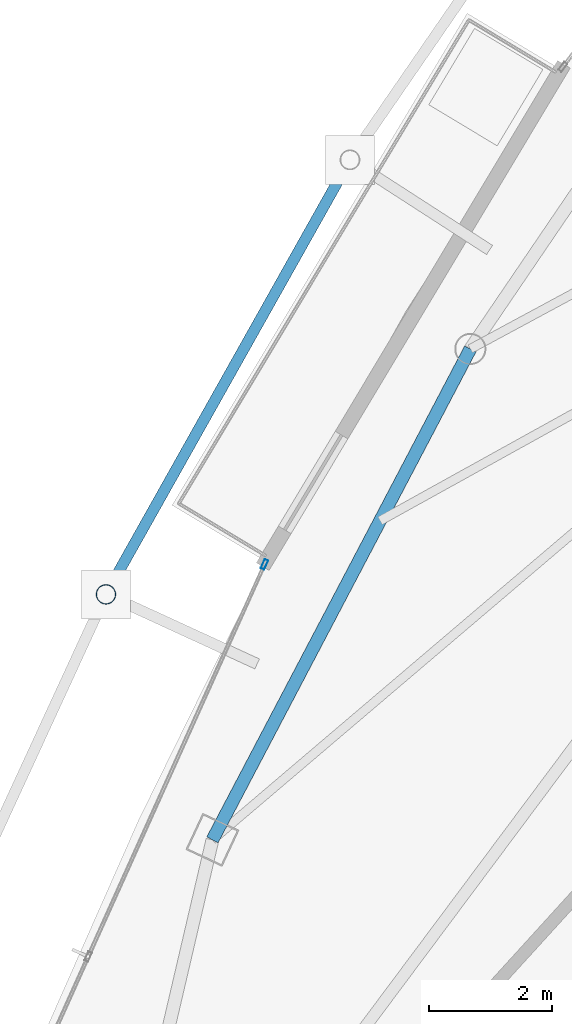
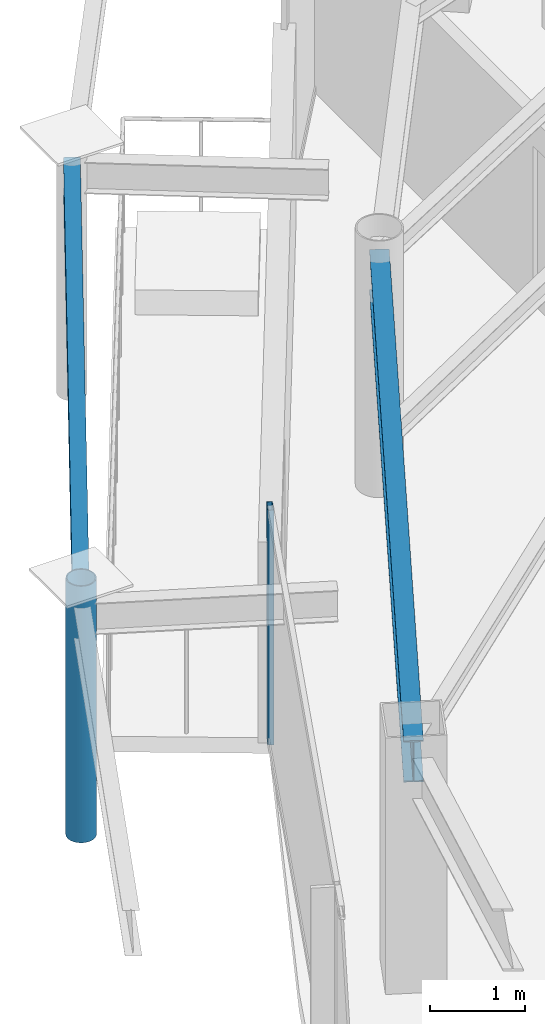
# One storey, part 10 of 30: 2 beams, 2 members, 1 element without a shape of its own.
"""IFC4 building model written with IfcOpenShell, lengths in metres."""

import ifcopenshell
import ifcopenshell.guid

model = None  # the IFC model being written
_history = None  # IfcOwnerHistory: only IFC2X3 demands one
_inside = {}  # id of a spatial element -> (the spatial element, [elements in it])
_under = {}  # id of a project, library or spatial element -> (it, [spatial elements below it])
_declared = {}  # id of a project -> (the project, [libraries it declares])
_typed = {}  # id of a type object -> (the type object, [elements of that type])
_made_of = {}  # id of a material, layer set ... -> (it, [elements and type objects made of it])


def new_model(schema):
    """Start an empty IFC model of exactly this schema.

    Asked for "IFC4X3", IfcOpenShell would pick the latest addendum, in which some entities
    have other attributes; the version numbers below select the first issue.
    IFC2X3 requires an IfcOwnerHistory on every rooted entity: one is made here for all.
    """
    global model, _history
    if schema == "IFC4X3":
        model = ifcopenshell.file(schema_version=(4, 3, 0, 0))
    else:
        model = ifcopenshell.file(schema=schema)
    _inside.clear()
    _under.clear()
    _declared.clear()
    _typed.clear()
    _made_of.clear()
    _history = None
    if model.schema == "IFC2X3":
        org = make("IfcOrganization", Name="unknown")
        user = make(
            "IfcPersonAndOrganization",
            ThePerson=make("IfcPerson", FamilyName="unknown"),
            TheOrganization=org,
        )
        app = make(
            "IfcApplication",
            ApplicationDeveloper=org,
            Version="unknown",
            ApplicationFullName="unknown",
            ApplicationIdentifier="unknown",
        )
        _history = make(
            "IfcOwnerHistory",
            OwningUser=user,
            OwningApplication=app,
            ChangeAction="ADDED",
            CreationDate=0,
        )
    return model


def make(cls, **values):
    """One entity of the class cls with the attributes given. An attribute that is None is left unset."""
    return model.create_entity(
        cls, **{name: value for name, value in values.items() if value is not None}
    )


def rooted(cls, **values):
    """An entity with a GlobalId (a new one), such as an element, a storey or a relation."""
    return make(cls, GlobalId=ifcopenshell.guid.new(), OwnerHistory=_history, **values)


def si_unit(unit_type, name, prefix=None):
    """IfcSIUnit, for example si_unit("LENGTHUNIT", "METRE", prefix="MILLI")."""
    return make("IfcSIUnit", UnitType=unit_type, Prefix=prefix, Name=name)


def assignment(units):
    """IfcUnitAssignment: the units of a project."""
    return None if units is None else make("IfcUnitAssignment", Units=units)


def point(xyz):
    """IfcCartesianPoint."""
    return None if xyz is None else make("IfcCartesianPoint", Coordinates=xyz)


def direction(xyz):
    """IfcDirection."""
    return None if xyz is None else make("IfcDirection", DirectionRatios=xyz)


def frame(location, z_axis=None, x_axis=None):
    """IfcAxis2Placement3D, a coordinate frame: its origin and axes. An axis left out is left unset."""
    return make(
        "IfcAxis2Placement3D",
        Location=point(location),
        Axis=direction(z_axis),
        RefDirection=direction(x_axis),
    )


def frame_2d(location, x_axis=None):
    """IfcAxis2Placement2D, a coordinate frame in the plane: its origin and x axis."""
    return make(
        "IfcAxis2Placement2D", Location=point(location), RefDirection=direction(x_axis)
    )


def origin():
    """The frame at (0, 0, 0) with its axes left unset."""
    return frame((0.0, 0.0, 0.0))


def origin_2d():
    """The frame at (0, 0) in the plane with its x axis left unset."""
    return frame_2d((0.0, 0.0))


def place(relative_to, where):
    """IfcLocalPlacement: puts the frame where relative to a parent placement (None: the world)."""
    return make(
        "IfcLocalPlacement", PlacementRelTo=relative_to, RelativePlacement=where
    )


def context(
    kind, dimensions, precision=None, world=None, true_north=None, identifier=None
):
    """IfcGeometricRepresentationContext, for example the 3D "Model" context."""
    return make(
        "IfcGeometricRepresentationContext",
        ContextIdentifier=identifier,
        ContextType=kind,
        CoordinateSpaceDimension=dimensions,
        Precision=precision,
        WorldCoordinateSystem=world,
        TrueNorth=true_north,
    )


def subcontext(parent, identifier, kind, view, scale=None):
    """IfcGeometricRepresentationSubContext, for example "Body" below "Model"."""
    return make(
        "IfcGeometricRepresentationSubContext",
        ContextIdentifier=identifier,
        ContextType=kind,
        ParentContext=parent,
        TargetScale=scale,
        TargetView=view,
    )


def project(units=None, contexts=None):
    """IfcProject with its units and contexts."""
    return rooted(
        "IfcProject",
        Name="project",
        RepresentationContexts=contexts,
        UnitsInContext=assignment(units),
    )


def spatial(cls, under=None, at=None, **own):
    """A site, building, storey or space (cls), placed at a placement, below another one or the project."""
    s = rooted(cls, ObjectPlacement=at, **own)
    if under is not None:
        _under.setdefault(under.id(), (under, []))[1].append(s)
    return s


def profile(cls, at=None, kind="AREA", **sizes):
    """A parametric profile (cls). Its sizes go by their IFC names, for example OverallWidth=200.0."""
    return make(cls, ProfileType=kind, Position=at, **sizes)


def hollow_rectangle(**sizes):
    """IfcRectangleHollowProfileDef."""
    return profile("IfcRectangleHollowProfileDef", **sizes)


def hollow_circle(**sizes):
    """IfcCircleHollowProfileDef."""
    return profile("IfcCircleHollowProfileDef", **sizes)


def i_section(**sizes):
    """IfcIShapeProfileDef."""
    return profile("IfcIShapeProfileDef", **sizes)


def extrude(swept, where, along, depth):
    """IfcExtrudedAreaSolid: the profile swept, set in the frame where, extruded along a direction by depth."""
    return make(
        "IfcExtrudedAreaSolid",
        SweptArea=swept,
        Position=where,
        ExtrudedDirection=direction(along),
        Depth=depth,
    )


def shape(context_of_items, identifier, shape_type, items):
    """IfcShapeRepresentation: the items that make up one representation, for example the "Body"."""
    return make(
        "IfcShapeRepresentation",
        ContextOfItems=context_of_items,
        RepresentationIdentifier=identifier,
        RepresentationType=shape_type,
        Items=items,
    )


def material(Name=None, Category=None):
    """IfcMaterial."""
    return make("IfcMaterial", Name=Name, Category=Category)


def layer(
    of_material, thickness, ventilated=None, Name=None, Category=None, Priority=None
):
    """IfcMaterialLayer: one layer of a wall or slab, of a material (None: an air gap)."""
    return make(
        "IfcMaterialLayer",
        Material=of_material,
        LayerThickness=thickness,
        IsVentilated=ventilated,
        Name=Name,
        Category=Category,
        Priority=Priority,
    )


def layer_set(layers, Name=None):
    """IfcMaterialLayerSet."""
    return make("IfcMaterialLayerSet", MaterialLayers=layers, LayerSetName=Name)


def material_profile(
    of_material, cross_section, Name=None, Category=None, Priority=None
):
    """IfcMaterialProfile: a cross section and its material."""
    return make(
        "IfcMaterialProfile",
        Name=Name,
        Material=of_material,
        Profile=cross_section,
        Priority=Priority,
        Category=Category,
    )


def profile_set(profiles, Name=None, composite=None):
    """IfcMaterialProfileSet."""
    return make(
        "IfcMaterialProfileSet",
        Name=Name,
        MaterialProfiles=profiles,
        CompositeProfile=composite,
    )


def made_of(thing, what):
    """Note that an element or type object is made of a material, layer set ...; save() writes the relation."""
    if what is not None:
        _made_of.setdefault(what.id(), (what, []))[1].append(thing)
    return thing


def type_object(cls, material=None, **own):
    """A type object (cls), such as IfcWallType, which elements share."""
    return made_of(rooted(cls, **own), material)


def element(
    cls,
    number,
    at=None,
    inside=None,
    cuts=None,
    type_object=None,
    material=None,
    context=None,
    identifier="Body",
    shape_type=None,
    held_by="IfcProductDefinitionShape",
    body=None,
    shapes=None,
    **own,
):
    """One element of the class cls, such as IfcWall. Its Tag is "e" and its number.

    at: its placement. inside: the storey or other place that contains it. cuts: it is an
    opening in that element (IfcRelVoidsElement). A single representation is given by context,
    identifier, shape_type and body (its items); several are given by shapes. held_by: the class
    of the entity that holds the representations. save() writes the other relations.
    """
    e = rooted(cls, Tag="e%d" % number, ObjectPlacement=at, **own)
    if body is not None:
        shapes = [shape(context, identifier, shape_type, body)]
    if shapes is not None:
        e.Representation = make(held_by, Representations=shapes)
    if inside is not None:
        _inside.setdefault(inside.id(), (inside, []))[1].append(e)
    if cuts is not None:
        rooted(
            "IfcRelVoidsElement", RelatingBuildingElement=cuts, RelatedOpeningElement=e
        )
    if type_object is not None:
        _typed.setdefault(type_object.id(), (type_object, []))[1].append(e)
    return made_of(e, material)


def aggregate(whole, parts):
    """IfcRelAggregates: a whole, such as a stair, and the parts it consists of."""
    return rooted("IfcRelAggregates", RelatingObject=whole, RelatedObjects=parts)


def save(model, path):
    """Write the relations noted so far, then the file.

    IfcRelAggregates (storeys below a building ...), IfcRelContainedInSpatialStructure (elements
    in a storey), IfcRelDefinesByType, IfcRelAssociatesMaterial and IfcRelDeclares: one each for
    every whole, place, type object, material and project.
    """
    for whole, parts in _under.values():
        aggregate(whole, parts)
    for where, things in _inside.values():
        rooted(
            "IfcRelContainedInSpatialStructure",
            RelatedElements=things,
            RelatingStructure=where,
        )
    for kind, things in _typed.values():
        rooted("IfcRelDefinesByType", RelatedObjects=things, RelatingType=kind)
    for what, things in _made_of.values():
        rooted("IfcRelAssociatesMaterial", RelatedObjects=things, RelatingMaterial=what)
    for by, libraries in _declared.values():
        rooted("IfcRelDeclares", RelatingContext=by, RelatedDefinitions=libraries)
    model.write(path)


model = new_model("IFC4")

# Units and contexts
model_context = context("Model", 3, precision=1e-05, world=origin(), true_north=direction((0.0, 1.0)))
body_context = subcontext(model_context, "Body", "Model", "MODEL_VIEW")
ifc_project = project(units=[si_unit("LENGTHUNIT", "METRE"), si_unit("AREAUNIT", "SQUARE_METRE"), si_unit("VOLUMEUNIT", "CUBIC_METRE"), si_unit("PLANEANGLEUNIT", "RADIAN"), si_unit("MASSUNIT", "GRAM", prefix="KILO")], contexts=[model_context])

# Site, building, storey
site_placement = place(None, origin())
site = spatial("IfcSite", under=ifc_project, at=site_placement, CompositionType="ELEMENT")
building_placement = place(site_placement, origin())
building = spatial("IfcBuilding", under=site, at=building_placement, Name="Orvanel Arch Residences", CompositionType="ELEMENT")
storey_placement = place(building_placement, frame((0.0, 0.0, 273.35009765625)))
storey = spatial("IfcBuildingStorey", under=building, at=storey_placement, Name="L78", CompositionType="ELEMENT", Elevation=273.35009765625)

# Curtain wall, member
ifc_material_1 = material(Name="Bronze-anodised aluminium AA6063-T6", Category="aluminium")
ifc_layer = layer(ifc_material_1, 0.175048828125)
ifc_layer_set = layer_set([ifc_layer], Name="Bronze-anodised aluminium AA6063-T6")
curtain_wall_type = type_object("IfcCurtainWallType", Name="CW4-HI-SYS", PredefinedType="NOTDEFINED", material=ifc_layer_set)
curtain_wall_placement = place(storey_placement, origin())
curtain_wall = element("IfcCurtainWall", 1, at=curtain_wall_placement, inside=storey, type_object=curtain_wall_type, Name="L78 CW4-HI-SYS Unitised Curtain Wall", PredefinedType="NOTDEFINED")
ifc_material_profile_1 = material_profile(ifc_material_1, hollow_rectangle(XDim=0.06494140625, YDim=0.159912109375, WallThickness=0.00390625, at=origin_2d()), Name="ALU160x65x4")
ifc_profile_set_1 = profile_set([ifc_material_profile_1], Name="Bronze-anodised aluminium AA6063-T6")
member_type_1 = type_object("IfcMemberType", Name="MUL-160x65", PredefinedType="MULLION", material=ifc_profile_set_1)
member_1_placement = place(storey_placement, frame((17.214599609375, 24.13134765625, 0.0), z_axis=(0.0, 0.0, 1.0), x_axis=(0.912157920998, -0.409838903913, 0.0)))
member_1 = element("IfcMember", 2, at=member_1_placement, type_object=member_type_1, Name="CW-S4 mullion 1", PredefinedType="MULLION", context=body_context, shape_type="SweptSolid", body=[
    extrude(hollow_rectangle(XDim=0.06494140625, YDim=0.159912109375, WallThickness=0.00390625, at=origin_2d()), origin(), (0.0, 0.0, 1.0), 3.02001953125),
])
aggregate(curtain_wall, [member_1])

# Beams
ifc_material_2 = material(Name="Structural steel AS/NZS 3679.1 Grade 300 (300 MPa)", Category="steel")
ifc_material_profile_2 = material_profile(ifc_material_2, i_section(OverallWidth=0.177978515625, OverallDepth=0.406005859375, WebThickness=0.0078125, FlangeThickness=0.0126953125, at=origin_2d()), Name="410UB59.7")
ifc_profile_set_2 = profile_set([ifc_material_profile_2], Name="Structural steel AS/NZS 3679.1 Grade 300 (300 MPa)")
beam_type_1 = type_object("IfcBeamType", Name="OB-410UB-EXT", PredefinedType="SPANDREL", material=ifc_profile_set_2)
beam_1_placement = place(storey_placement, frame((18.60791015625, 30.722900390625, 2.81689453125), z_axis=(-0.489594510938, -0.871950236458, 0.0), x_axis=(0.871950236458, -0.489594510938, 0.0)))
element("IfcBeam", 3, at=beam_1_placement, inside=storey, type_object=beam_type_1, Name="L78 Outer Perimeter Floor Ring Beam 02", PredefinedType="SPANDREL", context=body_context, shape_type="SweptSolid", body=[
    extrude(i_section(OverallWidth=0.177978515625, OverallDepth=0.406005859375, WebThickness=0.0078125, FlangeThickness=0.0126953125, at=origin_2d()), origin(), (0.0, 0.0, 1.0), 8.12060546875),
])
ifc_material_profile_3 = material_profile(ifc_material_2, i_section(OverallWidth=0.208984375, OverallDepth=0.532958984375, WebThickness=0.01025390625, FlangeThickness=0.015625, at=origin_2d()), Name="530UB92.4")
ifc_profile_set_3 = profile_set([ifc_material_profile_3], Name="Structural steel AS/NZS 3679.1 Grade 300 (300 MPa)")
beam_type_2 = type_object("IfcBeamType", Name="SP-530UB", PredefinedType="SPANDREL", material=ifc_profile_set_3)
beam_2_placement = place(storey_placement, frame((20.569091796875, 27.64111328125, 2.7529296875), z_axis=(-0.465064762793, -0.885276660942, 0.0), x_axis=(0.885276660942, -0.465064762793, 0.0)))
element("IfcBeam", 4, at=beam_2_placement, inside=storey, type_object=beam_type_2, Name="L78 Perimeter Spandrel Beam 12", PredefinedType="SPANDREL", context=body_context, shape_type="SweptSolid", body=[
    extrude(i_section(OverallWidth=0.208984375, OverallDepth=0.532958984375, WebThickness=0.01025390625, FlangeThickness=0.015625, at=origin_2d()), origin(), (0.0, 0.0, 1.0), 9.03564453125),
])

# Member
ifc_material_3 = material(Name="Structural steel AS/NZS 1163 C350L0 (Grade 350)", Category="steel")
ifc_material_profile_4 = material_profile(ifc_material_3, hollow_circle(Radius=0.162109375, WallThickness=0.0126953125, at=origin_2d()), Name="CHS324x12.7")
ifc_profile_set_4 = profile_set([ifc_material_profile_4], Name="Structural steel AS/NZS 1163 C350L0 (Grade 350)")
member_type_2 = type_object("IfcMemberType", Name="ST-324CHS-EXT", PredefinedType="STRUT", material=ifc_profile_set_4)
member_2_placement = place(storey_placement, frame((14.632080078125, 23.64208984375, 0.0), z_axis=(0.0, 0.0, 1.0), x_axis=(1.0, 0.0, 0.0)))
element("IfcMember", 5, at=member_2_placement, inside=storey, type_object=member_type_2, Name="L78 Outer Perimeter Frame Post 03", PredefinedType="STRUT", context=body_context, shape_type="SweptSolid", body=[
    extrude(hollow_circle(Radius=0.162109375, WallThickness=0.0126953125, at=origin_2d()), origin(), (0.0, 0.0, 1.0), 3.2998046875),
])

save(model, "model.ifc")
